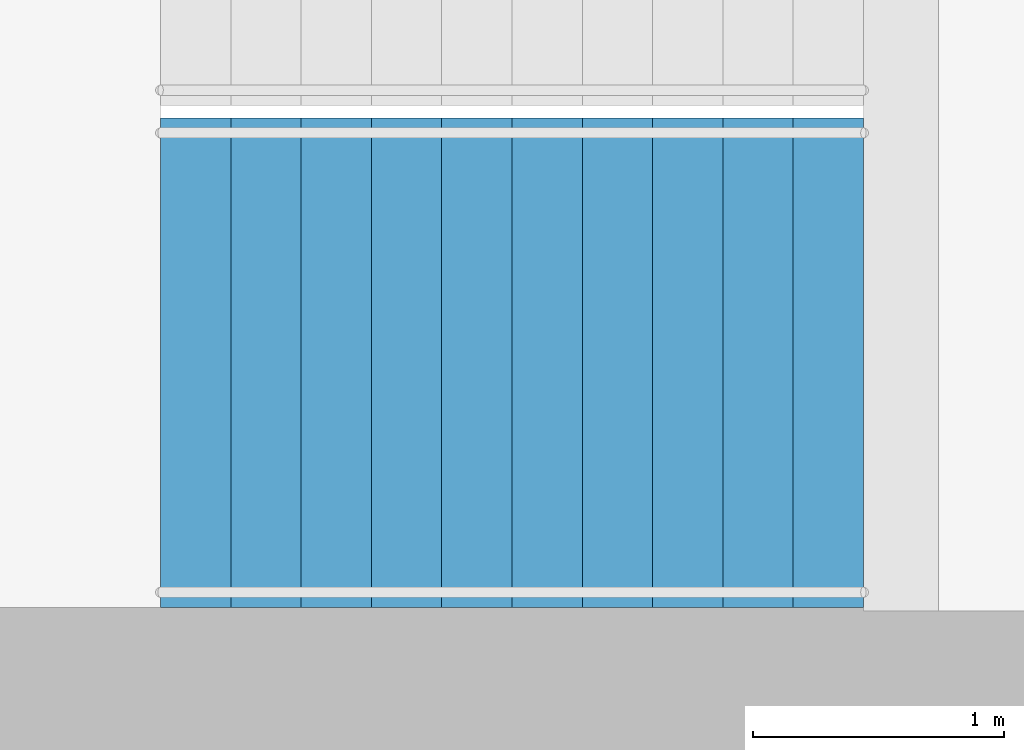
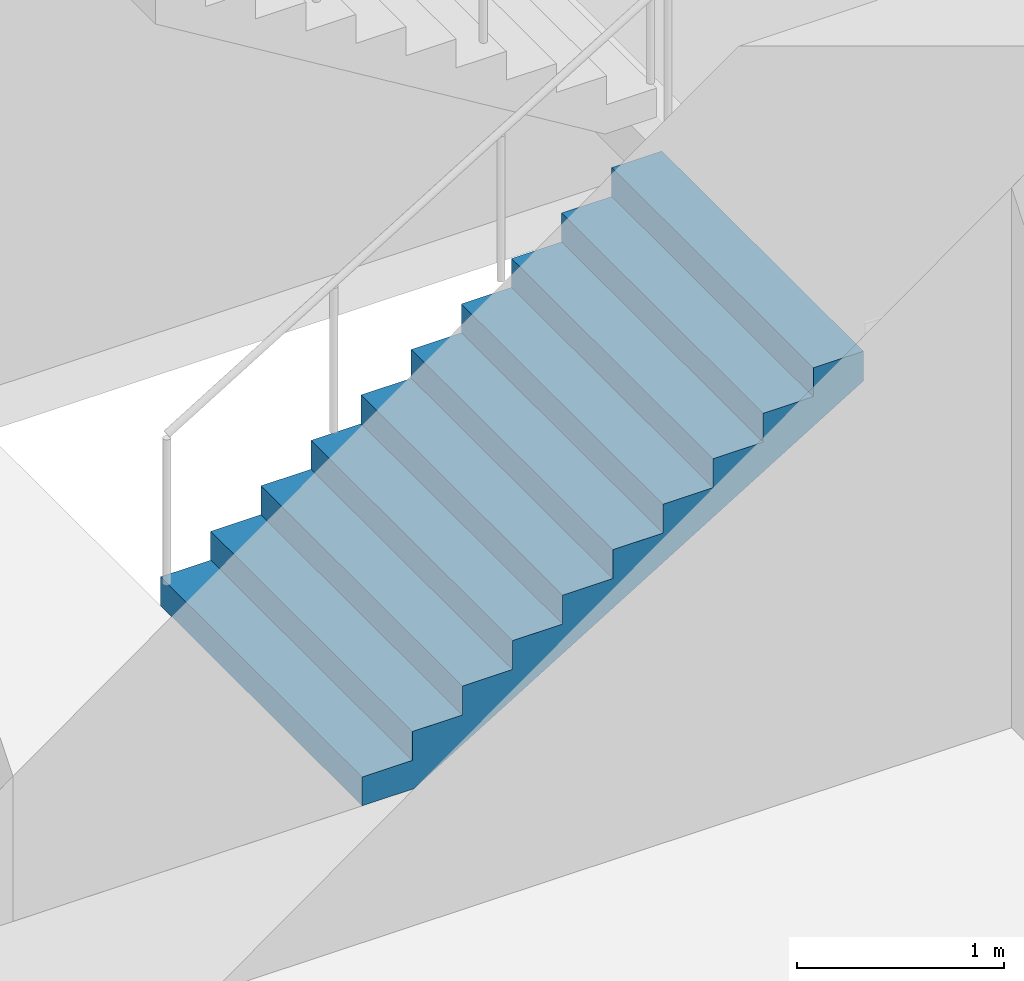
# One storey, part 19 of 23: 1 stair flight, 1 element without a shape of its own.
"""IFC4 building model written with IfcOpenShell, lengths in metres."""

from ifc_helpers import new_model, si_unit, direction, frame, origin, place, context, subcontext, project, spatial, triangles, material, type_object, element, aggregate, save


model = new_model("IFC4")

# Units and contexts
model_context = context("Model", 3, precision=1e-05, world=origin(), true_north=direction((0.0, 1.0)))
body_context = subcontext(model_context, "Body", "Model", "MODEL_VIEW")
ifc_project = project(units=[si_unit("LENGTHUNIT", "METRE"), si_unit("AREAUNIT", "SQUARE_METRE"), si_unit("VOLUMEUNIT", "CUBIC_METRE"), si_unit("PLANEANGLEUNIT", "RADIAN"), si_unit("MASSUNIT", "GRAM", prefix="KILO")], contexts=[model_context])

# Site, building, storey
site_placement = place(None, origin())
site = spatial("IfcSite", under=ifc_project, at=site_placement, CompositionType="ELEMENT")
building_placement = place(site_placement, origin())
building = spatial("IfcBuilding", under=site, at=building_placement, Name="Orbita Commons", CompositionType="ELEMENT")
storey_placement = place(building_placement, frame((0.0, 0.0, 42.699951171875)))
storey = spatial("IfcBuildingStorey", under=building, at=storey_placement, Name="L10", CompositionType="ELEMENT", Elevation=42.699951171875)

# Stair, stair flight
ifc_material_1 = material(Name="Precast concrete C40/50", Category="concrete")
stair_type = type_object("IfcStairType", Name="Exit stair S1 2 flights 11 risers 170", PredefinedType="HALF_TURN_STAIR", material=ifc_material_1)
stair_placement = place(storey_placement, origin())
stair = element("IfcStair", 1, at=stair_placement, inside=storey, type_object=stair_type, Name="Exit stair S1 L10", PredefinedType="HALF_TURN_STAIR")
ifc_material_2 = material(Name="Precast concrete C40/50", Category="concrete")
stair_flight_type = type_object("IfcStairFlightType", Name="Stair flight 11 risers 170 x 280", PredefinedType="STRAIGHT", material=ifc_material_2)
stair_flight_placement = place(storey_placement, frame((20.449951171875, 27.27490234375, 0.0), z_axis=(0.0, 0.0, 1.0), x_axis=(1.0, 0.0, 0.0)))
stair_flight = element("IfcStairFlight", 2, at=stair_flight_placement, type_object=stair_flight_type, Name="S1 flight 1", NumberOfRisers=11, NumberOfTreads=10, PredefinedType="STRAIGHT", RiserHeight=0.170454545, TreadLength=0.28, context=body_context, shape_type="Tessellation", body=[
    triangles([(0.0, 0.974976, 0.0), (0.0, 0.974976, 0.021307), (0.0, 0.81248, 0.021307), (0.0, 0.81248, 0.0), (0.0, 0.649984, 0.021307), (0.0, 0.649984, 0.0), (0.0, 0.487488, 0.021307), (0.0, 0.487488, 0.0), (0.0, 0.324992, 0.021307), (0.0, 0.324992, 0.0), (0.0, 0.162496, 0.021307), (0.0, 0.162496, 0.0), (0.0, 0.0, 0.021307), (0.0, 0.0, 0.0), (0.0, -0.162496, 0.021307), (0.0, -0.162496, 0.0), (0.0, -0.324992, 0.021307), (0.0, -0.324992, 0.0), (0.0, -0.487488, 0.021307), (0.0, -0.487488, 0.0), (0.0, -0.649984, 0.021307), (0.0, -0.649984, 0.0), (0.0, -0.81248, 0.021307), (0.0, -0.81248, 0.0), (0.0, -0.974976, 0.021307), (0.0, -0.974976, 0.0), (0.0, 0.974976, 0.042614), (0.0, 0.81248, 0.042614), (0.0, 0.649984, 0.042614), (0.0, 0.487488, 0.042614), (0.0, 0.324992, 0.042614), (0.0, 0.162496, 0.042614), (0.0, 0.0, 0.042614), (0.0, -0.162496, 0.042614), (0.0, -0.324992, 0.042614), (0.0, -0.487488, 0.042614), (0.0, -0.649984, 0.042614), (0.0, -0.81248, 0.042614), (0.0, -0.974976, 0.042614), (0.0, 0.974976, 0.06392), (0.0, 0.81248, 0.06392), (0.0, 0.649984, 0.06392), (0.0, 0.487488, 0.06392), (0.0, 0.324992, 0.06392), (0.0, 0.162496, 0.06392), (0.0, 0.0, 0.06392), (0.0, -0.162496, 0.06392), (0.0, -0.324992, 0.06392), (0.0, -0.487488, 0.06392), (0.0, -0.649984, 0.06392), (0.0, -0.81248, 0.06392), (0.0, -0.974976, 0.06392), (0.0, 0.974976, 0.085227), (0.0, 0.81248, 0.085227), (0.0, 0.649984, 0.085227), (0.0, 0.487488, 0.085227), (0.0, 0.324992, 0.085227), (0.0, 0.162496, 0.085227), (0.0, 0.0, 0.085227), (0.0, -0.162496, 0.085227), (0.0, -0.324992, 0.085227), (0.0, -0.487488, 0.085227), (0.0, -0.649984, 0.085227), (0.0, -0.81248, 0.085227), (0.0, -0.974976, 0.085227), (0.0, 0.974976, 0.106534), (0.0, 0.81248, 0.106534), (0.0, 0.649984, 0.106534), (0.0, 0.487488, 0.106534), (0.0, 0.324992, 0.106534), (0.0, 0.162496, 0.106534), (0.0, 0.0, 0.106534), (0.0, -0.162496, 0.106534), (0.0, -0.324992, 0.106534), (0.0, -0.487488, 0.106534), (0.0, -0.649984, 0.106534), (0.0, -0.81248, 0.106534), (0.0, -0.974976, 0.106534), (0.0, 0.974976, 0.127841), (0.0, 0.81248, 0.127841), (0.0, 0.649984, 0.127841), (0.0, 0.487488, 0.127841), (0.0, 0.324992, 0.127841), (0.0, 0.162496, 0.127841), (0.0, 0.0, 0.127841), (0.0, -0.162496, 0.127841), (0.0, -0.324992, 0.127841), (0.0, -0.487488, 0.127841), (0.0, -0.649984, 0.127841), (0.0, -0.81248, 0.127841), (0.0, -0.974976, 0.127841), (0.0, 0.974976, 0.149148), (0.0, 0.81248, 0.149148), (0.0, 0.649984, 0.149148), (0.0, 0.487488, 0.149148), (0.0, 0.324992, 0.149148), (0.0, 0.162496, 0.149148), (0.0, 0.0, 0.149148), (0.0, -0.162496, 0.149148), (0.0, -0.324992, 0.149148), (0.0, -0.487488, 0.149148), (0.0, -0.649984, 0.149148), (0.0, -0.81248, 0.149148), (0.0, -0.974976, 0.149148), (0.0, 0.974976, 0.170455), (0.0, 0.81248, 0.170455), (0.0, 0.649984, 0.170455), (0.0, 0.487488, 0.170455), (0.0, 0.324992, 0.170455), (0.0, 0.162496, 0.170455), (0.0, 0.0, 0.170455), (0.0, -0.162496, 0.170455), (0.0, -0.324992, 0.170455), (0.0, -0.487488, 0.170455), (0.0, -0.649984, 0.170455), (0.0, -0.81248, 0.170455), (0.0, -0.974976, 0.170455), (0.28, 0.974976, 0.170455), (0.28, 0.81248, 0.170455), (0.28, 0.649984, 0.170455), (0.28, 0.487488, 0.170455), (0.28, 0.324992, 0.170455), (0.28, 0.162496, 0.170455), (0.28, 0.0, 0.170455), (0.28, -0.162496, 0.170455), (0.28, -0.324992, 0.170455), (0.28, -0.487488, 0.170455), (0.28, -0.649984, 0.170455), (0.28, -0.81248, 0.170455), (0.28, -0.974976, 0.170455), (0.28, 0.974976, 0.340909), (0.28, 0.81248, 0.340909), (0.28, 0.649984, 0.340909), (0.28, 0.487488, 0.340909), (0.28, 0.324992, 0.340909), (0.28, 0.162496, 0.340909), (0.28, 0.0, 0.340909), (0.28, -0.162496, 0.340909), (0.28, -0.324992, 0.340909), (0.28, -0.487488, 0.340909), (0.28, -0.649984, 0.340909), (0.28, -0.81248, 0.340909), (0.28, -0.974976, 0.340909), (0.56, 0.974976, 0.340909), (0.56, 0.81248, 0.340909), (0.56, 0.649984, 0.340909), (0.56, 0.487488, 0.340909), (0.56, 0.324992, 0.340909), (0.56, 0.162496, 0.340909), (0.56, 0.0, 0.340909), (0.56, -0.162496, 0.340909), (0.56, -0.324992, 0.340909), (0.56, -0.487488, 0.340909), (0.56, -0.649984, 0.340909), (0.56, -0.81248, 0.340909), (0.56, -0.974976, 0.340909), (0.56, 0.974976, 0.511364), (0.56, 0.81248, 0.511364), (0.56, 0.649984, 0.511364), (0.56, 0.487488, 0.511364), (0.56, 0.324992, 0.511364), (0.56, 0.162496, 0.511364), (0.56, 0.0, 0.511364), (0.56, -0.162496, 0.511364), (0.56, -0.324992, 0.511364), (0.56, -0.487488, 0.511364), (0.56, -0.649984, 0.511364), (0.56, -0.81248, 0.511364), (0.56, -0.974976, 0.511364), (0.84, 0.974976, 0.511364), (0.84, 0.81248, 0.511364), (0.84, 0.649984, 0.511364), (0.84, 0.487488, 0.511364), (0.84, 0.324992, 0.511364), (0.84, 0.162496, 0.511364), (0.84, 0.0, 0.511364), (0.84, -0.162496, 0.511364), (0.84, -0.324992, 0.511364), (0.84, -0.487488, 0.511364), (0.84, -0.649984, 0.511364), (0.84, -0.81248, 0.511364), (0.84, -0.974976, 0.511364), (0.84, 0.974976, 0.681818), (0.84, 0.81248, 0.681818), (0.84, 0.649984, 0.681818), (0.84, 0.487488, 0.681818), (0.84, 0.324992, 0.681818), (0.84, 0.162496, 0.681818), (0.84, 0.0, 0.681818), (0.84, -0.162496, 0.681818), (0.84, -0.324992, 0.681818), (0.84, -0.487488, 0.681818), (0.84, -0.649984, 0.681818), (0.84, -0.81248, 0.681818), (0.84, -0.974976, 0.681818), (1.12, 0.974976, 0.681818), (1.12, 0.81248, 0.681818), (1.12, 0.649984, 0.681818), (1.12, 0.487488, 0.681818), (1.12, 0.324992, 0.681818), (1.12, 0.162496, 0.681818), (1.12, 0.0, 0.681818), (1.12, -0.162496, 0.681818), (1.12, -0.324992, 0.681818), (1.12, -0.487488, 0.681818), (1.12, -0.649984, 0.681818), (1.12, -0.81248, 0.681818), (1.12, -0.974976, 0.681818), (1.12, 0.974976, 0.852273), (1.12, 0.81248, 0.852273), (1.12, 0.649984, 0.852273), (1.12, 0.487488, 0.852273), (1.12, 0.324992, 0.852273), (1.12, 0.162496, 0.852273), (1.12, 0.0, 0.852273), (1.12, -0.162496, 0.852273), (1.12, -0.324992, 0.852273), (1.12, -0.487488, 0.852273), (1.12, -0.649984, 0.852273), (1.12, -0.81248, 0.852273), (1.12, -0.974976, 0.852273), (1.4, 0.974976, 0.852273), (1.4, 0.81248, 0.852273), (1.4, 0.649984, 0.852273), (1.4, 0.487488, 0.852273), (1.4, 0.324992, 0.852273), (1.4, 0.162496, 0.852273), (1.4, 0.0, 0.852273), (1.4, -0.162496, 0.852273), (1.4, -0.324992, 0.852273), (1.4, -0.487488, 0.852273), (1.4, -0.649984, 0.852273), (1.4, -0.81248, 0.852273), (1.4, -0.974976, 0.852273), (1.4, 0.974976, 1.022727), (1.4, 0.81248, 1.022727), (1.4, 0.649984, 1.022727), (1.4, 0.487488, 1.022727), (1.4, 0.324992, 1.022727), (1.4, 0.162496, 1.022727), (1.4, 0.0, 1.022727), (1.4, -0.162496, 1.022727), (1.4, -0.324992, 1.022727), (1.4, -0.487488, 1.022727), (1.4, -0.649984, 1.022727), (1.4, -0.81248, 1.022727), (1.4, -0.974976, 1.022727), (1.68, 0.974976, 1.022727), (1.68, 0.81248, 1.022727), (1.68, 0.649984, 1.022727), (1.68, 0.487488, 1.022727), (1.68, 0.324992, 1.022727), (1.68, 0.162496, 1.022727), (1.68, 0.0, 1.022727), (1.68, -0.162496, 1.022727), (1.68, -0.324992, 1.022727), (1.68, -0.487488, 1.022727), (1.68, -0.649984, 1.022727), (1.68, -0.81248, 1.022727), (1.68, -0.974976, 1.022727), (1.68, 0.974976, 1.193182), (1.68, 0.81248, 1.193182), (1.68, 0.649984, 1.193182), (1.68, 0.487488, 1.193182), (1.68, 0.324992, 1.193182), (1.68, 0.162496, 1.193182), (1.68, 0.0, 1.193182), (1.68, -0.162496, 1.193182), (1.68, -0.324992, 1.193182), (1.68, -0.487488, 1.193182), (1.68, -0.649984, 1.193182), (1.68, -0.81248, 1.193182), (1.68, -0.974976, 1.193182), (1.96, 0.974976, 1.193182), (1.96, 0.81248, 1.193182), (1.96, 0.649984, 1.193182), (1.96, 0.487488, 1.193182), (1.96, 0.324992, 1.193182), (1.96, 0.162496, 1.193182), (1.96, 0.0, 1.193182), (1.96, -0.162496, 1.193182), (1.96, -0.324992, 1.193182), (1.96, -0.487488, 1.193182), (1.96, -0.649984, 1.193182), (1.96, -0.81248, 1.193182), (1.96, -0.974976, 1.193182), (1.96, 0.974976, 1.363636), (1.96, 0.81248, 1.363636), (1.96, 0.649984, 1.363636), (1.96, 0.487488, 1.363636), (1.96, 0.324992, 1.363636), (1.96, 0.162496, 1.363636), (1.96, 0.0, 1.363636), (1.96, -0.162496, 1.363636), (1.96, -0.324992, 1.363636), (1.96, -0.487488, 1.363636), (1.96, -0.649984, 1.363636), (1.96, -0.81248, 1.363636), (1.96, -0.974976, 1.363636), (2.24, 0.974976, 1.363636), (2.24, 0.81248, 1.363636), (2.24, 0.649984, 1.363636), (2.24, 0.487488, 1.363636), (2.24, 0.324992, 1.363636), (2.24, 0.162496, 1.363636), (2.24, 0.0, 1.363636), (2.24, -0.162496, 1.363636), (2.24, -0.324992, 1.363636), (2.24, -0.487488, 1.363636), (2.24, -0.649984, 1.363636), (2.24, -0.81248, 1.363636), (2.24, -0.974976, 1.363636), (2.24, 0.974976, 1.534091), (2.24, 0.81248, 1.534091), (2.24, 0.649984, 1.534091), (2.24, 0.487488, 1.534091), (2.24, 0.324992, 1.534091), (2.24, 0.162496, 1.534091), (2.24, 0.0, 1.534091), (2.24, -0.162496, 1.534091), (2.24, -0.324992, 1.534091), (2.24, -0.487488, 1.534091), (2.24, -0.649984, 1.534091), (2.24, -0.81248, 1.534091), (2.24, -0.974976, 1.534091), (2.52, 0.974976, 1.534091), (2.52, 0.81248, 1.534091), (2.52, 0.649984, 1.534091), (2.52, 0.487488, 1.534091), (2.52, 0.324992, 1.534091), (2.52, 0.162496, 1.534091), (2.52, 0.0, 1.534091), (2.52, -0.162496, 1.534091), (2.52, -0.324992, 1.534091), (2.52, -0.487488, 1.534091), (2.52, -0.649984, 1.534091), (2.52, -0.81248, 1.534091), (2.52, -0.974976, 1.534091), (2.52, 0.974976, 1.704545), (2.52, 0.81248, 1.704545), (2.52, 0.649984, 1.704545), (2.52, 0.487488, 1.704545), (2.52, 0.324992, 1.704545), (2.52, 0.162496, 1.704545), (2.52, 0.0, 1.704545), (2.52, -0.162496, 1.704545), (2.52, -0.324992, 1.704545), (2.52, -0.487488, 1.704545), (2.52, -0.649984, 1.704545), (2.52, -0.81248, 1.704545), (2.52, -0.974976, 1.704545), (2.8, 0.974976, 1.704545), (2.8, 0.81248, 1.704545), (2.8, 0.649984, 1.704545), (2.8, 0.487488, 1.704545), (2.8, 0.324992, 1.704545), (2.8, 0.162496, 1.704545), (2.8, 0.0, 1.704545), (2.8, -0.162496, 1.704545), (2.8, -0.324992, 1.704545), (2.8, -0.487488, 1.704545), (2.8, -0.649984, 1.704545), (2.8, -0.81248, 1.704545), (2.8, -0.974976, 1.704545), (2.8, 0.974976, 1.682609), (2.8, 0.81248, 1.682609), (2.8, 0.649984, 1.682609), (2.8, 0.487488, 1.682609), (2.8, 0.324992, 1.682609), (2.8, 0.162496, 1.682609), (2.8, 0.0, 1.682609), (2.8, -0.162496, 1.682609), (2.8, -0.324992, 1.682609), (2.8, -0.487488, 1.682609), (2.8, -0.649984, 1.682609), (2.8, -0.81248, 1.682609), (2.8, -0.974976, 1.682609), (2.8, 0.974976, 1.660672), (2.8, 0.81248, 1.660672), (2.8, 0.649984, 1.660672), (2.8, 0.487488, 1.660672), (2.8, 0.324992, 1.660672), (2.8, 0.162496, 1.660672), (2.8, 0.0, 1.660672), (2.8, -0.162496, 1.660672), (2.8, -0.324992, 1.660672), (2.8, -0.487488, 1.660672), (2.8, -0.649984, 1.660672), (2.8, -0.81248, 1.660672), (2.8, -0.974976, 1.660672), (2.8, 0.974976, 1.638735), (2.8, 0.81248, 1.638735), (2.8, 0.649984, 1.638735), (2.8, 0.487488, 1.638735), (2.8, 0.324992, 1.638735), (2.8, 0.162496, 1.638735), (2.8, 0.0, 1.638735), (2.8, -0.162496, 1.638735), (2.8, -0.324992, 1.638735), (2.8, -0.487488, 1.638735), (2.8, -0.649984, 1.638735), (2.8, -0.81248, 1.638735), (2.8, -0.974976, 1.638735), (2.8, 0.974976, 1.616798), (2.8, 0.81248, 1.616798), (2.8, 0.649984, 1.616798), (2.8, 0.487488, 1.616798), (2.8, 0.324992, 1.616798), (2.8, 0.162496, 1.616798), (2.8, 0.0, 1.616798), (2.8, -0.162496, 1.616798), (2.8, -0.324992, 1.616798), (2.8, -0.487488, 1.616798), (2.8, -0.649984, 1.616798), (2.8, -0.81248, 1.616798), (2.8, -0.974976, 1.616798), (2.8, 0.974976, 1.594861), (2.8, 0.81248, 1.594861), (2.8, 0.649984, 1.594861), (2.8, 0.487488, 1.594861), (2.8, 0.324992, 1.594861), (2.8, 0.162496, 1.594861), (2.8, 0.0, 1.594861), (2.8, -0.162496, 1.594861), (2.8, -0.324992, 1.594861), (2.8, -0.487488, 1.594861), (2.8, -0.649984, 1.594861), (2.8, -0.81248, 1.594861), (2.8, -0.974976, 1.594861), (2.8, 0.974976, 1.572925), (2.8, 0.81248, 1.572925), (2.8, 0.649984, 1.572925), (2.8, 0.487488, 1.572925), (2.8, 0.324992, 1.572925), (2.8, 0.162496, 1.572925), (2.8, 0.0, 1.572925), (2.8, -0.162496, 1.572925), (2.8, -0.324992, 1.572925), (2.8, -0.487488, 1.572925), (2.8, -0.649984, 1.572925), (2.8, -0.81248, 1.572925), (2.8, -0.974976, 1.572925), (2.8, 0.974976, 1.550988), (2.8, 0.81248, 1.550988), (2.8, 0.649984, 1.550988), (2.8, 0.487488, 1.550988), (2.8, 0.324992, 1.550988), (2.8, 0.162496, 1.550988), (2.8, 0.0, 1.550988), (2.8, -0.162496, 1.550988), (2.8, -0.324992, 1.550988), (2.8, -0.487488, 1.550988), (2.8, -0.649984, 1.550988), (2.8, -0.81248, 1.550988), (2.8, -0.974976, 1.550988), (2.8, 0.974976, 1.529051), (2.8, 0.81248, 1.529051), (2.8, 0.649984, 1.529051), (2.8, 0.487488, 1.529051), (2.8, 0.324992, 1.529051), (2.8, 0.162496, 1.529051), (2.8, 0.0, 1.529051), (2.8, -0.162496, 1.529051), (2.8, -0.324992, 1.529051), (2.8, -0.487488, 1.529051), (2.8, -0.649984, 1.529051), (2.8, -0.81248, 1.529051), (2.8, -0.974976, 1.529051), (0.288279, 0.974976, 0.0), (0.288279, 0.81248, 0.0), (0.288279, 0.649984, 0.0), (0.288279, 0.487488, 0.0), (0.288279, 0.324992, 0.0), (0.288279, 0.162496, 0.0), (0.288279, 0.0, 0.0), (0.288279, -0.162496, 0.0), (0.288279, -0.324992, 0.0), (0.288279, -0.487488, 0.0), (0.288279, -0.649984, 0.0), (0.288279, -0.81248, 0.0), (0.288279, -0.974976, 0.0)], [[3, 2, 1], [4, 3, 1], [5, 3, 4], [6, 5, 4], [7, 5, 6], [8, 7, 6], [9, 7, 8], [10, 9, 8], [11, 9, 10], [12, 11, 10], [13, 11, 12], [14, 13, 12], [15, 13, 14], [16, 15, 14], [17, 15, 16], [18, 17, 16], [19, 17, 18], [20, 19, 18], [21, 19, 20], [22, 21, 20], [23, 21, 22], [24, 23, 22], [25, 23, 24], [26, 25, 24], [28, 27, 2], [3, 28, 2], [29, 28, 3], [5, 29, 3], [30, 29, 5], [7, 30, 5], [31, 30, 7], [9, 31, 7], [32, 31, 9], [11, 32, 9], [33, 32, 11], [13, 33, 11], [34, 33, 13], [15, 34, 13], [35, 34, 15], [17, 35, 15], [36, 35, 17], [19, 36, 17], [37, 36, 19], [21, 37, 19], [38, 37, 21], [23, 38, 21], [39, 38, 23], [25, 39, 23], [41, 40, 27], [28, 41, 27], [42, 41, 28], [29, 42, 28], [43, 42, 29], [30, 43, 29], [44, 43, 30], [31, 44, 30], [45, 44, 31], [32, 45, 31], [46, 45, 32], [33, 46, 32], [47, 46, 33], [34, 47, 33], [48, 47, 34], [35, 48, 34], [49, 48, 35], [36, 49, 35], [50, 49, 36], [37, 50, 36], [51, 50, 37], [38, 51, 37], [52, 51, 38], [39, 52, 38], [54, 53, 40], [41, 54, 40], [55, 54, 41], [42, 55, 41], [56, 55, 42], [43, 56, 42], [57, 56, 43], [44, 57, 43], [58, 57, 44], [45, 58, 44], [59, 58, 45], [46, 59, 45], [60, 59, 46], [47, 60, 46], [61, 60, 47], [48, 61, 47], [62, 61, 48], [49, 62, 48], [63, 62, 49], [50, 63, 49], [64, 63, 50], [51, 64, 50], [65, 64, 51], [52, 65, 51], [67, 66, 53], [54, 67, 53], [68, 67, 54], [55, 68, 54], [69, 68, 55], [56, 69, 55], [70, 69, 56], [57, 70, 56], [71, 70, 57], [58, 71, 57], [72, 71, 58], [59, 72, 58], [73, 72, 59], [60, 73, 59], [74, 73, 60], [61, 74, 60], [75, 74, 61], [62, 75, 61], [76, 75, 62], [63, 76, 62], [77, 76, 63], [64, 77, 63], [78, 77, 64], [65, 78, 64], [80, 79, 66], [67, 80, 66], [81, 80, 67], [68, 81, 67], [82, 81, 68], [69, 82, 68], [83, 82, 69], [70, 83, 69], [84, 83, 70], [71, 84, 70], [85, 84, 71], [72, 85, 71], [86, 85, 72], [73, 86, 72], [87, 86, 73], [74, 87, 73], [88, 87, 74], [75, 88, 74], [89, 88, 75], [76, 89, 75], [90, 89, 76], [77, 90, 76], [91, 90, 77], [78, 91, 77], [93, 92, 79], [80, 93, 79], [94, 93, 80], [81, 94, 80], [95, 94, 81], [82, 95, 81], [96, 95, 82], [83, 96, 82], [97, 96, 83], [84, 97, 83], [98, 97, 84], [85, 98, 84], [99, 98, 85], [86, 99, 85], [100, 99, 86], [87, 100, 86], [101, 100, 87], [88, 101, 87], [102, 101, 88], [89, 102, 88], [103, 102, 89], [90, 103, 89], [104, 103, 90], [91, 104, 90], [106, 105, 92], [93, 106, 92], [107, 106, 93], [94, 107, 93], [108, 107, 94], [95, 108, 94], [109, 108, 95], [96, 109, 95], [110, 109, 96], [97, 110, 96], [111, 110, 97], [98, 111, 97], [112, 111, 98], [99, 112, 98], [113, 112, 99], [100, 113, 99], [114, 113, 100], [101, 114, 100], [115, 114, 101], [102, 115, 101], [116, 115, 102], [103, 116, 102], [117, 116, 103], [104, 117, 103], [119, 118, 105], [106, 119, 105], [120, 119, 106], [107, 120, 106], [121, 120, 107], [108, 121, 107], [122, 121, 108], [109, 122, 108], [123, 122, 109], [110, 123, 109], [124, 123, 110], [111, 124, 110], [125, 124, 111], [112, 125, 111], [126, 125, 112], [113, 126, 112], [127, 126, 113], [114, 127, 113], [128, 127, 114], [115, 128, 114], [129, 128, 115], [116, 129, 115], [130, 129, 116], [117, 130, 116], [132, 131, 118], [119, 132, 118], [133, 132, 119], [120, 133, 119], [134, 133, 120], [121, 134, 120], [135, 134, 121], [122, 135, 121], [136, 135, 122], [123, 136, 122], [137, 136, 123], [124, 137, 123], [138, 137, 124], [125, 138, 124], [139, 138, 125], [126, 139, 125], [140, 139, 126], [127, 140, 126], [141, 140, 127], [128, 141, 127], [142, 141, 128], [129, 142, 128], [143, 142, 129], [130, 143, 129], [145, 144, 131], [132, 145, 131], [146, 145, 132], [133, 146, 132], [147, 146, 133], [134, 147, 133], [148, 147, 134], [135, 148, 134], [149, 148, 135], [136, 149, 135], [150, 149, 136], [137, 150, 136], [151, 150, 137], [138, 151, 137], [152, 151, 138], [139, 152, 138], [153, 152, 139], [140, 153, 139], [154, 153, 140], [141, 154, 140], [155, 154, 141], [142, 155, 141], [156, 155, 142], [143, 156, 142], [158, 157, 144], [145, 158, 144], [159, 158, 145], [146, 159, 145], [160, 159, 146], [147, 160, 146], [161, 160, 147], [148, 161, 147], [162, 161, 148], [149, 162, 148], [163, 162, 149], [150, 163, 149], [164, 163, 150], [151, 164, 150], [165, 164, 151], [152, 165, 151], [166, 165, 152], [153, 166, 152], [167, 166, 153], [154, 167, 153], [168, 167, 154], [155, 168, 154], [169, 168, 155], [156, 169, 155], [171, 170, 157], [158, 171, 157], [172, 171, 158], [159, 172, 158], [173, 172, 159], [160, 173, 159], [174, 173, 160], [161, 174, 160], [175, 174, 161], [162, 175, 161], [176, 175, 162], [163, 176, 162], [177, 176, 163], [164, 177, 163], [178, 177, 164], [165, 178, 164], [179, 178, 165], [166, 179, 165], [180, 179, 166], [167, 180, 166], [181, 180, 167], [168, 181, 167], [182, 181, 168], [169, 182, 168], [184, 183, 170], [171, 184, 170], [185, 184, 171], [172, 185, 171], [186, 185, 172], [173, 186, 172], [187, 186, 173], [174, 187, 173], [188, 187, 174], [175, 188, 174], [189, 188, 175], [176, 189, 175], [190, 189, 176], [177, 190, 176], [191, 190, 177], [178, 191, 177], [192, 191, 178], [179, 192, 178], [193, 192, 179], [180, 193, 179], [194, 193, 180], [181, 194, 180], [195, 194, 181], [182, 195, 181], [197, 196, 183], [184, 197, 183], [198, 197, 184], [185, 198, 184], [199, 198, 185], [186, 199, 185], [200, 199, 186], [187, 200, 186], [201, 200, 187], [188, 201, 187], [202, 201, 188], [189, 202, 188], [203, 202, 189], [190, 203, 189], [204, 203, 190], [191, 204, 190], [205, 204, 191], [192, 205, 191], [206, 205, 192], [193, 206, 192], [207, 206, 193], [194, 207, 193], [208, 207, 194], [195, 208, 194], [210, 209, 196], [197, 210, 196], [211, 210, 197], [198, 211, 197], [212, 211, 198], [199, 212, 198], [213, 212, 199], [200, 213, 199], [214, 213, 200], [201, 214, 200], [215, 214, 201], [202, 215, 201], [216, 215, 202], [203, 216, 202], [217, 216, 203], [204, 217, 203], [218, 217, 204], [205, 218, 204], [219, 218, 205], [206, 219, 205], [220, 219, 206], [207, 220, 206], [221, 220, 207], [208, 221, 207], [223, 222, 209], [210, 223, 209], [224, 223, 210], [211, 224, 210], [225, 224, 211], [212, 225, 211], [226, 225, 212], [213, 226, 212], [227, 226, 213], [214, 227, 213], [228, 227, 214], [215, 228, 214], [229, 228, 215], [216, 229, 215], [230, 229, 216], [217, 230, 216], [231, 230, 217], [218, 231, 217], [232, 231, 218], [219, 232, 218], [233, 232, 219], [220, 233, 219], [234, 233, 220], [221, 234, 220], [236, 235, 222], [223, 236, 222], [237, 236, 223], [224, 237, 223], [238, 237, 224], [225, 238, 224], [239, 238, 225], [226, 239, 225], [240, 239, 226], [227, 240, 226], [241, 240, 227], [228, 241, 227], [242, 241, 228], [229, 242, 228], [243, 242, 229], [230, 243, 229], [244, 243, 230], [231, 244, 230], [245, 244, 231], [232, 245, 231], [246, 245, 232], [233, 246, 232], [247, 246, 233], [234, 247, 233], [249, 248, 235], [236, 249, 235], [250, 249, 236], [237, 250, 236], [251, 250, 237], [238, 251, 237], [252, 251, 238], [239, 252, 238], [253, 252, 239], [240, 253, 239], [254, 253, 240], [241, 254, 240], [255, 254, 241], [242, 255, 241], [256, 255, 242], [243, 256, 242], [257, 256, 243], [244, 257, 243], [258, 257, 244], [245, 258, 244], [259, 258, 245], [246, 259, 245], [260, 259, 246], [247, 260, 246], [262, 261, 248], [249, 262, 248], [263, 262, 249], [250, 263, 249], [264, 263, 250], [251, 264, 250], [265, 264, 251], [252, 265, 251], [266, 265, 252], [253, 266, 252], [267, 266, 253], [254, 267, 253], [268, 267, 254], [255, 268, 254], [269, 268, 255], [256, 269, 255], [270, 269, 256], [257, 270, 256], [271, 270, 257], [258, 271, 257], [272, 271, 258], [259, 272, 258], [273, 272, 259], [260, 273, 259], [275, 274, 261], [262, 275, 261], [276, 275, 262], [263, 276, 262], [277, 276, 263], [264, 277, 263], [278, 277, 264], [265, 278, 264], [279, 278, 265], [266, 279, 265], [280, 279, 266], [267, 280, 266], [281, 280, 267], [268, 281, 267], [282, 281, 268], [269, 282, 268], [283, 282, 269], [270, 283, 269], [284, 283, 270], [271, 284, 270], [285, 284, 271], [272, 285, 271], [286, 285, 272], [273, 286, 272], [288, 287, 274], [275, 288, 274], [289, 288, 275], [276, 289, 275], [290, 289, 276], [277, 290, 276], [291, 290, 277], [278, 291, 277], [292, 291, 278], [279, 292, 278], [293, 292, 279], [280, 293, 279], [294, 293, 280], [281, 294, 280], [295, 294, 281], [282, 295, 281], [296, 295, 282], [283, 296, 282], [297, 296, 283], [284, 297, 283], [298, 297, 284], [285, 298, 284], [299, 298, 285], [286, 299, 285], [301, 300, 287], [288, 301, 287], [302, 301, 288], [289, 302, 288], [303, 302, 289], [290, 303, 289], [304, 303, 290], [291, 304, 290], [305, 304, 291], [292, 305, 291], [306, 305, 292], [293, 306, 292], [307, 306, 293], [294, 307, 293], [308, 307, 294], [295, 308, 294], [309, 308, 295], [296, 309, 295], [310, 309, 296], [297, 310, 296], [311, 310, 297], [298, 311, 297], [312, 311, 298], [299, 312, 298], [314, 313, 300], [301, 314, 300], [315, 314, 301], [302, 315, 301], [316, 315, 302], [303, 316, 302], [317, 316, 303], [304, 317, 303], [318, 317, 304], [305, 318, 304], [319, 318, 305], [306, 319, 305], [320, 319, 306], [307, 320, 306], [321, 320, 307], [308, 321, 307], [322, 321, 308], [309, 322, 308], [323, 322, 309], [310, 323, 309], [324, 323, 310], [311, 324, 310], [325, 324, 311], [312, 325, 311], [327, 326, 313], [314, 327, 313], [328, 327, 314], [315, 328, 314], [329, 328, 315], [316, 329, 315], [330, 329, 316], [317, 330, 316], [331, 330, 317], [318, 331, 317], [332, 331, 318], [319, 332, 318], [333, 332, 319], [320, 333, 319], [334, 333, 320], [321, 334, 320], [335, 334, 321], [322, 335, 321], [336, 335, 322], [323, 336, 322], [337, 336, 323], [324, 337, 323], [338, 337, 324], [325, 338, 324], [340, 339, 326], [327, 340, 326], [341, 340, 327], [328, 341, 327], [342, 341, 328], [329, 342, 328], [343, 342, 329], [330, 343, 329], [344, 343, 330], [331, 344, 330], [345, 344, 331], [332, 345, 331], [346, 345, 332], [333, 346, 332], [347, 346, 333], [334, 347, 333], [348, 347, 334], [335, 348, 334], [349, 348, 335], [336, 349, 335], [350, 349, 336], [337, 350, 336], [351, 350, 337], [338, 351, 337], [353, 352, 339], [340, 353, 339], [354, 353, 340], [341, 354, 340], [355, 354, 341], [342, 355, 341], [356, 355, 342], [343, 356, 342], [357, 356, 343], [344, 357, 343], [358, 357, 344], [345, 358, 344], [359, 358, 345], [346, 359, 345], [360, 359, 346], [347, 360, 346], [361, 360, 347], [348, 361, 347], [362, 361, 348], [349, 362, 348], [363, 362, 349], [350, 363, 349], [364, 363, 350], [351, 364, 350], [366, 365, 352], [353, 366, 352], [367, 366, 353], [354, 367, 353], [368, 367, 354], [355, 368, 354], [369, 368, 355], [356, 369, 355], [370, 369, 356], [357, 370, 356], [371, 370, 357], [358, 371, 357], [372, 371, 358], [359, 372, 358], [373, 372, 359], [360, 373, 359], [374, 373, 360], [361, 374, 360], [375, 374, 361], [362, 375, 361], [376, 375, 362], [363, 376, 362], [377, 376, 363], [364, 377, 363], [379, 378, 365], [366, 379, 365], [380, 379, 366], [367, 380, 366], [381, 380, 367], [368, 381, 367], [382, 381, 368], [369, 382, 368], [383, 382, 369], [370, 383, 369], [384, 383, 370], [371, 384, 370], [385, 384, 371], [372, 385, 371], [386, 385, 372], [373, 386, 372], [387, 386, 373], [374, 387, 373], [388, 387, 374], [375, 388, 374], [389, 388, 375], [376, 389, 375], [390, 389, 376], [377, 390, 376], [392, 391, 378], [379, 392, 378], [393, 392, 379], [380, 393, 379], [394, 393, 380], [381, 394, 380], [395, 394, 381], [382, 395, 381], [396, 395, 382], [383, 396, 382], [397, 396, 383], [384, 397, 383], [398, 397, 384], [385, 398, 384], [399, 398, 385], [386, 399, 385], [400, 399, 386], [387, 400, 386], [401, 400, 387], [388, 401, 387], [402, 401, 388], [389, 402, 388], [403, 402, 389], [390, 403, 389], [405, 404, 391], [392, 405, 391], [406, 405, 392], [393, 406, 392], [407, 406, 393], [394, 407, 393], [408, 407, 394], [395, 408, 394], [409, 408, 395], [396, 409, 395], [410, 409, 396], [397, 410, 396], [411, 410, 397], [398, 411, 397], [412, 411, 398], [399, 412, 398], [413, 412, 399], [400, 413, 399], [414, 413, 400], [401, 414, 400], [415, 414, 401], [402, 415, 401], [416, 415, 402], [403, 416, 402], [418, 417, 404], [405, 418, 404], [419, 418, 405], [406, 419, 405], [420, 419, 406], [407, 420, 406], [421, 420, 407], [408, 421, 407], [422, 421, 408], [409, 422, 408], [423, 422, 409], [410, 423, 409], [424, 423, 410], [411, 424, 410], [425, 424, 411], [412, 425, 411], [426, 425, 412], [413, 426, 412], [427, 426, 413], [414, 427, 413], [428, 427, 414], [415, 428, 414], [429, 428, 415], [416, 429, 415], [431, 430, 417], [418, 431, 417], [432, 431, 418], [419, 432, 418], [433, 432, 419], [420, 433, 419], [434, 433, 420], [421, 434, 420], [435, 434, 421], [422, 435, 421], [436, 435, 422], [423, 436, 422], [437, 436, 423], [424, 437, 423], [438, 437, 424], [425, 438, 424], [439, 438, 425], [426, 439, 425], [440, 439, 426], [427, 440, 426], [441, 440, 427], [428, 441, 427], [442, 441, 428], [429, 442, 428], [444, 443, 430], [431, 444, 430], [445, 444, 431], [432, 445, 431], [446, 445, 432], [433, 446, 432], [447, 446, 433], [434, 447, 433], [448, 447, 434], [435, 448, 434], [449, 448, 435], [436, 449, 435], [450, 449, 436], [437, 450, 436], [451, 450, 437], [438, 451, 437], [452, 451, 438], [439, 452, 438], [453, 452, 439], [440, 453, 439], [454, 453, 440], [441, 454, 440], [455, 454, 441], [442, 455, 441], [457, 456, 443], [444, 457, 443], [458, 457, 444], [445, 458, 444], [459, 458, 445], [446, 459, 445], [460, 459, 446], [447, 460, 446], [461, 460, 447], [448, 461, 447], [462, 461, 448], [449, 462, 448], [463, 462, 449], [450, 463, 449], [464, 463, 450], [451, 464, 450], [465, 464, 451], [452, 465, 451], [466, 465, 452], [453, 466, 452], [467, 466, 453], [454, 467, 453], [468, 467, 454], [455, 468, 454], [470, 469, 456], [457, 470, 456], [471, 470, 457], [458, 471, 457], [472, 471, 458], [459, 472, 458], [473, 472, 459], [460, 473, 459], [474, 473, 460], [461, 474, 460], [475, 474, 461], [462, 475, 461], [476, 475, 462], [463, 476, 462], [477, 476, 463], [464, 477, 463], [478, 477, 464], [465, 478, 464], [479, 478, 465], [466, 479, 465], [480, 479, 466], [467, 480, 466], [481, 480, 467], [468, 481, 467], [4, 1, 469], [470, 4, 469], [6, 4, 470], [471, 6, 470], [8, 6, 471], [472, 8, 471], [10, 8, 472], [473, 10, 472], [12, 10, 473], [474, 12, 473], [14, 12, 474], [475, 14, 474], [16, 14, 475], [476, 16, 475], [18, 16, 476], [477, 18, 476], [20, 18, 477], [478, 20, 477], [22, 20, 478], [479, 22, 478], [24, 22, 479], [480, 24, 479], [26, 24, 480], [481, 26, 480], [456, 469, 1], [26, 481, 468], [443, 456, 1], [26, 468, 455], [430, 443, 1], [26, 455, 442], [417, 430, 1], [26, 442, 429], [404, 417, 1], [26, 429, 416], [391, 404, 1], [26, 416, 403], [378, 391, 1], [26, 403, 390], [365, 378, 1], [26, 390, 377], [339, 352, 365], [377, 364, 351], [326, 339, 365], [377, 351, 338], [300, 313, 326], [338, 325, 312], [300, 326, 365], [377, 338, 312], [274, 287, 300], [312, 299, 286], [274, 300, 365], [377, 312, 286], [248, 261, 274], [286, 273, 260], [248, 274, 365], [377, 286, 260], [222, 235, 248], [260, 247, 234], [222, 248, 365], [377, 260, 234], [196, 209, 222], [234, 221, 208], [196, 222, 365], [377, 234, 208], [170, 183, 196], [208, 195, 182], [170, 196, 365], [377, 208, 182], [144, 157, 170], [182, 169, 156], [144, 170, 365], [377, 182, 156], [118, 131, 144], [156, 143, 130], [118, 144, 365], [377, 156, 130], [118, 365, 1], [26, 377, 130], [92, 105, 118], [130, 117, 104], [79, 92, 118], [130, 104, 91], [66, 79, 118], [130, 91, 78], [53, 66, 118], [130, 78, 65], [40, 53, 118], [130, 65, 52], [27, 40, 118], [130, 52, 39], [2, 27, 118], [130, 39, 25], [1, 2, 118], [130, 25, 26]], closed=True),
])
aggregate(stair, [stair_flight])

save(model, "model.ifc")
